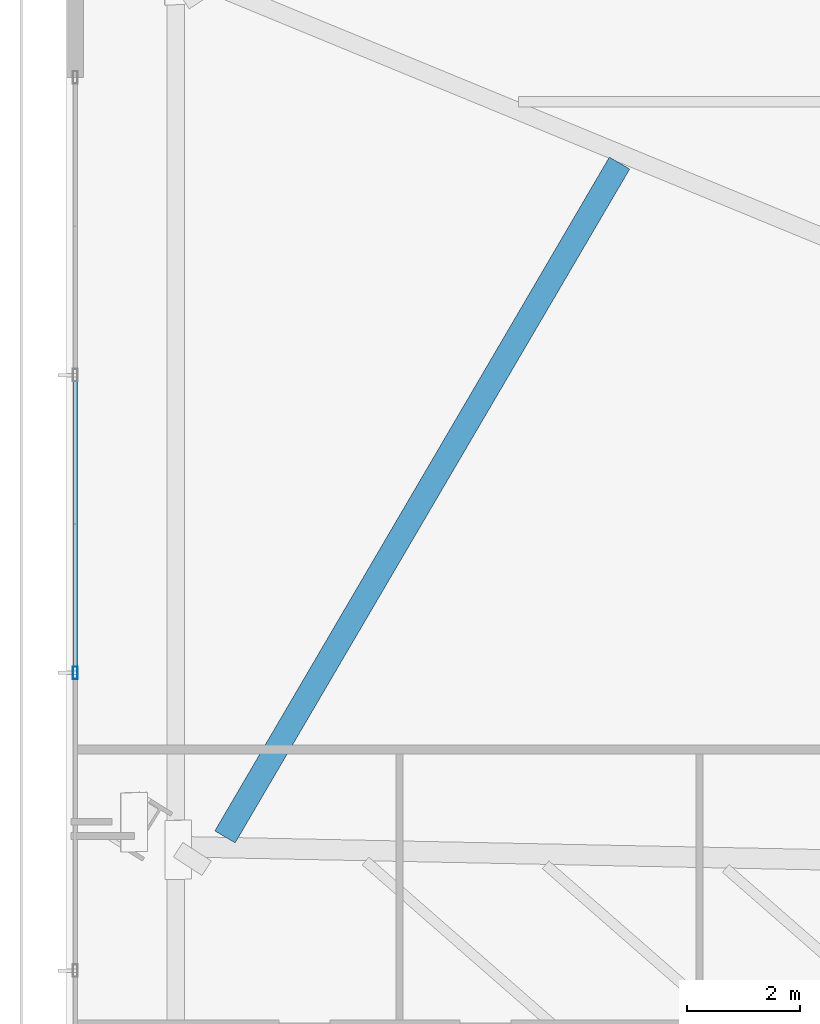
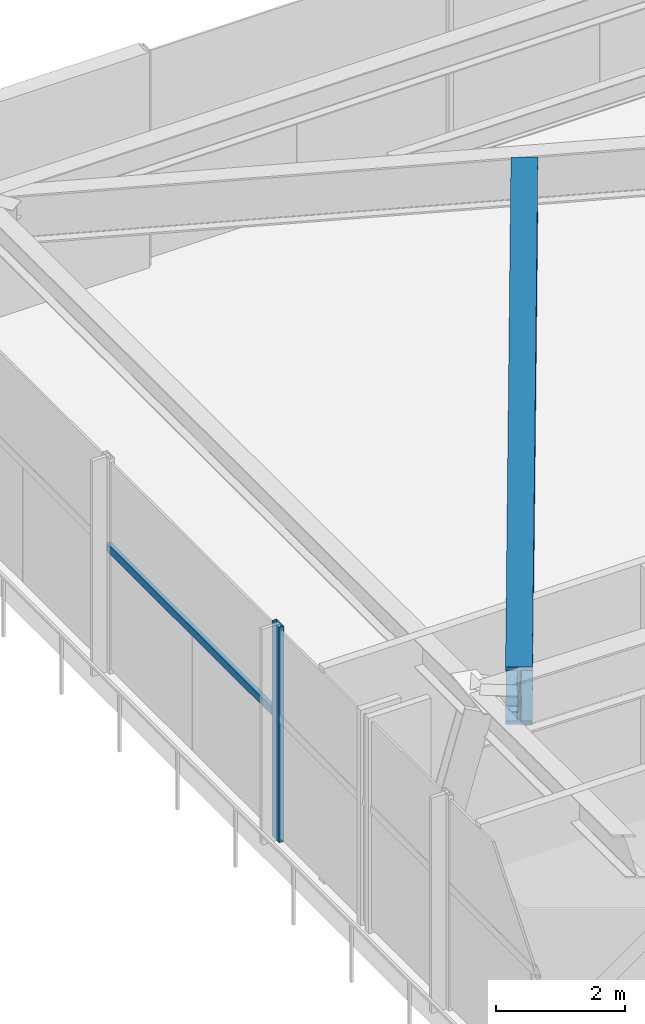
# One storey, part 8 of 36: 2 members, 1 beam, 1 element without a shape of its own.
"""IFC4 building model written with IfcOpenShell, lengths in metres."""

from ifc_helpers import new_model, si_unit, direction, frame, origin, origin_2d, place, context, subcontext, project, spatial, hollow_rectangle, i_section, extrude, source, transform, mapped, material, material_profile, profile_set, type_object, type_shapes, element, aggregate, save


model = new_model("IFC4")

# Units and contexts
model_context = context("Model", 3, precision=1e-05, world=origin(), true_north=direction((0.0, 1.0)))
body_context = subcontext(model_context, "Body", "Model", "MODEL_VIEW")
ifc_project = project(units=[si_unit("LENGTHUNIT", "METRE"), si_unit("AREAUNIT", "SQUARE_METRE"), si_unit("VOLUMEUNIT", "CUBIC_METRE"), si_unit("PLANEANGLEUNIT", "RADIAN"), si_unit("MASSUNIT", "GRAM", prefix="KILO")], contexts=[model_context])

# Site, building, storey
site_placement = place(None, origin())
site = spatial("IfcSite", under=ifc_project, at=site_placement, CompositionType="ELEMENT")
building_placement = place(site_placement, origin())
building = spatial("IfcBuilding", under=site, at=building_placement, Name="Astriad Promenade Condominiums", CompositionType="ELEMENT")
storey_placement = place(building_placement, frame((0.0, 0.0, 5.0)))
storey = spatial("IfcBuildingStorey", under=building, at=storey_placement, Name="L01", CompositionType="ELEMENT", Elevation=5.0)

# Beam
ifc_material_1 = material(Name="Steel ASTM A992 Grade 50", Category="steel")
ifc_material_profile_1 = material_profile(ifc_material_1, i_section(OverallWidth=0.4169921875, OverallDepth=1.093505859375, WebThickness=0.0390625, FlangeThickness=0.070068359375, FilletRadius=0.025390625, at=origin_2d()), Name="W40X503")
ifc_profile_set_1 = profile_set([ifc_material_profile_1], Name="Steel ASTM A992 Grade 50")
beam_type = type_object("IfcBeamType", Name="STEEL TRANSFER GIRDER W40X503", PredefinedType="BEAM", material=ifc_profile_set_1)
shared_shape_1 = source(origin(), body_context, "Body", "SweptSolid", [
    extrude(i_section(OverallWidth=0.4169921875, OverallDepth=1.093505859375, WebThickness=0.0390625, FlangeThickness=0.070068359375, FilletRadius=0.025390625, at=origin_2d()), origin(), (0.0, 0.0, 1.0), 13.791015625),
])
type_shapes(beam_type, [shared_shape_1])
beam_placement = place(storey_placement, frame((11.5654296875, 29.934326171875, 3.533203125), z_axis=(-0.505307829279, -0.862939162206, 0.0), x_axis=(0.862939162206, -0.505307829279, 0.0)))
element("IfcBeam", 1, at=beam_placement, inside=storey, type_object=beam_type, Name="Transfer Splice Carrier TRM-SP-PC11-L01", PredefinedType="BEAM", context=body_context, shape_type="MappedRepresentation", body=[
    mapped(shared_shape_1, transform((0.0, 0.0, 0.0), scale=1.0)),
])

# Curtain wall, members
ifc_material_2 = material(Name="Anodised aluminium Black Dark Glass Unitised", Category="aluminium")
curtain_wall_type = type_object("IfcCurtainWallType", Name="CW-POD-DARK", PredefinedType="USERDEFINED", material=ifc_material_2)
curtain_wall_placement = place(storey_placement, origin())
curtain_wall = element("IfcCurtainWall", 2, at=curtain_wall_placement, inside=storey, type_object=curtain_wall_type, Name="CW-L01-W", ObjectType="UNITISED_CURTAIN_WALL", PredefinedType="USERDEFINED")
ifc_material_3 = material(Name="Anodised aluminium 6063-T6 Black", Category="aluminium")
ifc_material_profile_2 = material_profile(ifc_material_3, hollow_rectangle(XDim=0.0849609375, YDim=0.219970703125, WallThickness=0.0048828125, at=origin_2d()), Name="ALU-MUL-85X220")
ifc_profile_set_2 = profile_set([ifc_material_profile_2], Name="Anodised aluminium 6063-T6 Black")
member_type_1 = type_object("IfcMemberType", Name="MUL-ALU-MUL-85X220", PredefinedType="MULLION", material=ifc_profile_set_2)
shared_shape_2 = source(origin(), body_context, "Body", "SweptSolid", [
    extrude(hollow_rectangle(XDim=0.0849609375, YDim=0.219970703125, WallThickness=0.0048828125, at=origin_2d()), origin(), (0.0, 0.0, 1.0), 4.080078125),
])
type_shapes(member_type_1, [shared_shape_2])
member_1_placement = place(storey_placement, frame((1.949951171875, 20.929931640625, 0.0), z_axis=(0.0, 0.0, 1.0), x_axis=(1.0, 0.0, 0.0)))
member_1 = element("IfcMember", 3, at=member_1_placement, type_object=member_type_1, Name="CW-L01-W-MUL-03", PredefinedType="MULLION", context=body_context, shape_type="MappedRepresentation", body=[
    mapped(shared_shape_2, transform((0.0, 0.0, 0.0), scale=1.0)),
])
ifc_material_profile_3 = material_profile(ifc_material_3, hollow_rectangle(XDim=0.074951171875, YDim=0.14990234375, WallThickness=0.004150390625, at=origin_2d()), Name="ALU-TRN-75X150")
ifc_profile_set_3 = profile_set([ifc_material_profile_3], Name="Anodised aluminium 6063-T6 Black")
member_type_2 = type_object("IfcMemberType", Name="TRN-ALU-TRN-75X150", PredefinedType="USERDEFINED", material=ifc_profile_set_3)
shared_shape_3 = source(origin(), body_context, "Body", "SweptSolid", [
    extrude(hollow_rectangle(XDim=0.074951171875, YDim=0.14990234375, WallThickness=0.004150390625, at=origin_2d()), origin(), (0.0, 0.0, 1.0), 5.260009765625),
])
type_shapes(member_type_2, [shared_shape_3])
member_2_placement = place(storey_placement, frame((1.949951171875, 20.929931640625, 2.35009765625), z_axis=(0.0, 1.0, 0.0), x_axis=(-1.0, 0.0, 0.0)))
member_2 = element("IfcMember", 4, at=member_2_placement, type_object=member_type_2, Name="CW-L01-W-TRN-03-0", ObjectType="TRANSOM", PredefinedType="USERDEFINED", context=body_context, shape_type="MappedRepresentation", body=[
    mapped(shared_shape_3, transform((0.0, 0.0, 0.0), scale=1.0)),
])
aggregate(curtain_wall, [member_1, member_2])

save(model, "model.ifc")
